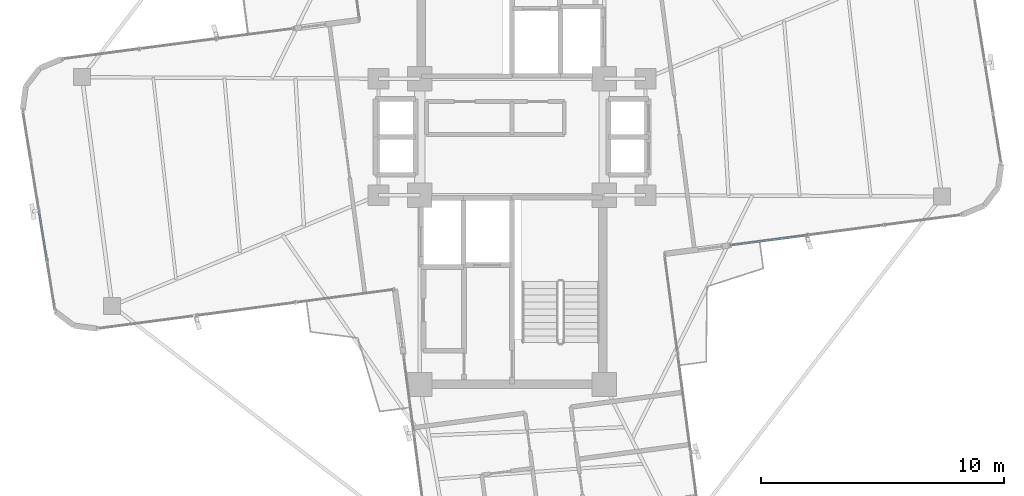
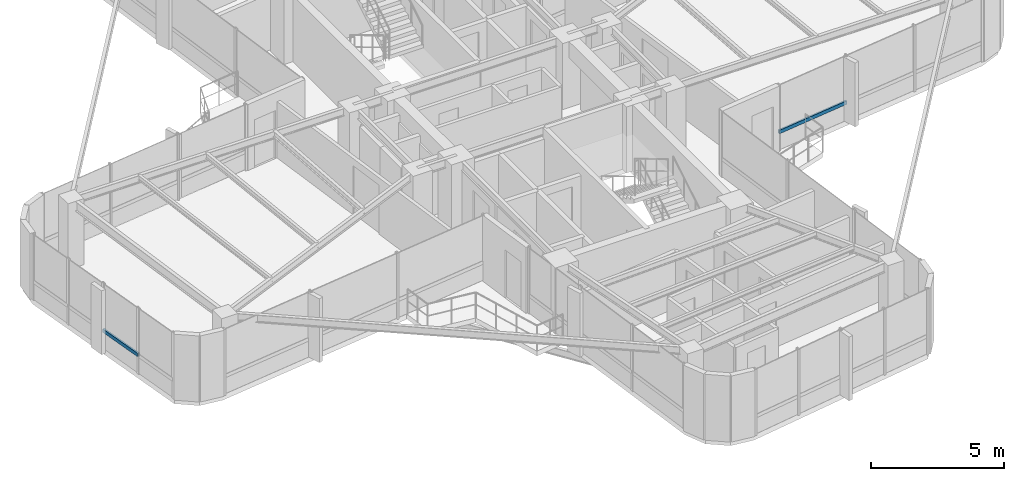
# One storey, part 6 of 22: 2 members, 2 elements without a shape of their own.
"""IFC4 building model written with IfcOpenShell, lengths in metres."""

from ifc_helpers import new_model, si_unit, direction, frame, origin, origin_2d, place, context, subcontext, project, spatial, hollow_rectangle, extrude, source, transform, mapped, material, material_profile, profile_set, type_object, element, aggregate, save


model = new_model("IFC4")

# Units and contexts
model_context = context("Model", 3, precision=1e-05, world=origin(), true_north=direction((0.0, 1.0)))
body_context = subcontext(model_context, "Body", "Model", "MODEL_VIEW")
ifc_project = project(units=[si_unit("LENGTHUNIT", "METRE"), si_unit("AREAUNIT", "SQUARE_METRE"), si_unit("VOLUMEUNIT", "CUBIC_METRE"), si_unit("PLANEANGLEUNIT", "RADIAN"), si_unit("MASSUNIT", "GRAM", prefix="KILO")], contexts=[model_context])

# Site, building, storey
site_placement = place(None, origin())
site = spatial("IfcSite", under=ifc_project, at=site_placement, CompositionType="ELEMENT")
building_placement = place(site_placement, origin())
building = spatial("IfcBuilding", under=site, at=building_placement, Name="Sahyath Konkavel Grand Hotel", CompositionType="ELEMENT")
storey_placement = place(building_placement, frame((0.0, 0.0, 261.25)))
storey = spatial("IfcBuildingStorey", under=building, at=storey_placement, Name="L73", CompositionType="ELEMENT", Elevation=261.25)

# Curtain wall, member
ifc_material_1 = material(Name="Anodised Bronze Aluminium & Low-E Glazing", Category="aluminium")
curtain_wall_type = type_object("IfcCurtainWallType", Name="CW-ZONE4", PredefinedType="NOTDEFINED", material=ifc_material_1)
curtain_wall_1_placement = place(storey_placement, origin())
curtain_wall_1 = element("IfcCurtainWall", 1, at=curtain_wall_1_placement, inside=storey, type_object=curtain_wall_type, Name="L73 Unitised Curtain Wall F0", PredefinedType="NOTDEFINED")
ifc_material_2 = material(Name="Anodised Bronze Aluminium", Category="aluminium")
ifc_material_profile = material_profile(ifc_material_2, hollow_rectangle(XDim=0.080078125, YDim=0.159912109375, WallThickness=0.006103515625, at=origin_2d()), Name="RHS 160x80x6")
ifc_profile_set = profile_set([ifc_material_profile], Name="Anodised Bronze Aluminium")
member_type = type_object("IfcMemberType", Name="CW-TRN-160", PredefinedType="USERDEFINED", material=ifc_profile_set)
shared_shape_1 = source(origin(), body_context, "Body", "SweptSolid", [
    extrude(hollow_rectangle(XDim=0.080078125, YDim=0.159912109375, WallThickness=0.006103515625, at=origin_2d()), origin(), (0.0, 0.0, 1.0), 3.203369140625),
])
member_1_placement = place(storey_placement, frame((8.99951171875, -4.46337890625, 0.85009765625), z_axis=(0.991451441867, 0.130476198668, 0.0), x_axis=(-0.130476198668, 0.991451441867, 0.0)))
member_1 = element("IfcMember", 2, at=member_1_placement, type_object=member_type, Name="L73 Curtain Wall Transom F0-0-spandrel", ObjectType="TRANSOM", PredefinedType="USERDEFINED", context=body_context, shape_type="MappedRepresentation", body=[
    mapped(shared_shape_1, transform((0.0, 0.0, 0.0), scale=1.0)),
])
aggregate(curtain_wall_1, [member_1])

curtain_wall_2_placement = place(storey_placement, origin())
curtain_wall_2 = element("IfcCurtainWall", 3, at=curtain_wall_2_placement, inside=storey, type_object=curtain_wall_type, Name="L73 Unitised Curtain Wall F20", PredefinedType="NOTDEFINED")
shared_shape_2 = source(origin(), body_context, "Body", "SweptSolid", [
    extrude(hollow_rectangle(XDim=0.080078125, YDim=0.159912109375, WallThickness=0.006103515625, at=origin_2d()), origin(), (0.0, 0.0, 1.0), 2.087158203125),
])
member_2_placement = place(storey_placement, frame((-19.487060546875, -3.031982421875, 0.85009765625), z_axis=(0.159673756436, -0.98716983924, 0.0), x_axis=(0.98716983924, 0.159673756436, 0.0)))
member_2 = element("IfcMember", 4, at=member_2_placement, type_object=member_type, Name="L73 Curtain Wall Transom F20-2-spandrel", ObjectType="TRANSOM", PredefinedType="USERDEFINED", context=body_context, shape_type="MappedRepresentation", body=[
    mapped(shared_shape_2, transform((0.0, 0.0, 0.0), scale=1.0)),
])
aggregate(curtain_wall_2, [member_2])

save(model, "model.ifc")
